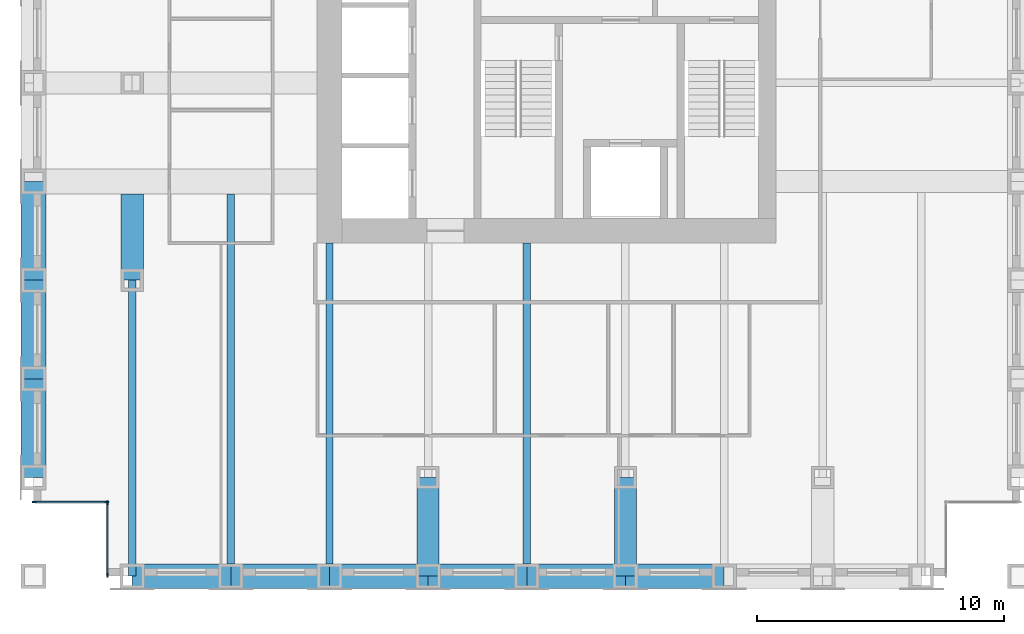
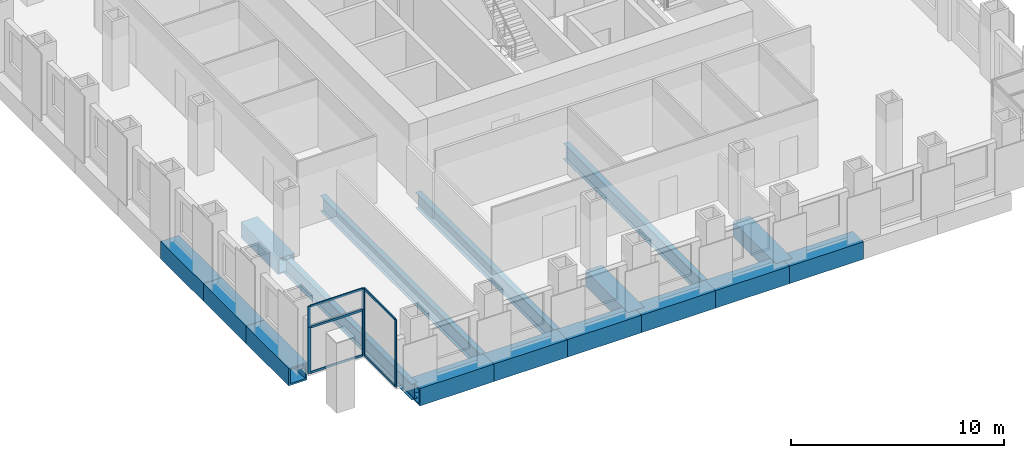
# One storey, part 2 of 12: 16 beams, 12 members, 3 elements without a shape of their own.
"""IFC4 building model written with IfcOpenShell, lengths in metres."""

from ifc_helpers import new_model, si_unit, direction, frame, origin, origin_2d, place, context, subcontext, project, spatial, rectangle, hollow_rectangle, i_section, extrude, material, material_profile, profile_set, type_object, element, aggregate, save


model = new_model("IFC4")

# Units and contexts
model_context = context("Model", 3, precision=1e-05, world=origin(), true_north=direction((0.0, 1.0)))
body_context = subcontext(model_context, "Body", "Model", "MODEL_VIEW")
ifc_project = project(units=[si_unit("LENGTHUNIT", "METRE"), si_unit("AREAUNIT", "SQUARE_METRE"), si_unit("VOLUMEUNIT", "CUBIC_METRE"), si_unit("PLANEANGLEUNIT", "RADIAN"), si_unit("MASSUNIT", "GRAM", prefix="KILO")], contexts=[model_context])

# Site, building, storey
site_placement = place(None, origin())
site = spatial("IfcSite", under=ifc_project, at=site_placement, CompositionType="ELEMENT")
building_placement = place(site_placement, origin())
building = spatial("IfcBuilding", under=site, at=building_placement, Name="Rimbunsela Tower", CompositionType="ELEMENT")
storey_placement = place(building_placement, frame((0.0, 0.0, 167.800048828125)))
storey = spatial("IfcBuildingStorey", under=building, at=storey_placement, Name="L40", CompositionType="ELEMENT", Elevation=167.800048828125)

# Beams
ifc_material_1 = material(Name="Steel BJ 55 (fy 410 MPa)", Category="steel")
ifc_material_profile_1 = material_profile(ifc_material_1, hollow_rectangle(XDim=1.0, YDim=1.0, WallThickness=0.10009765625, at=origin_2d()), Name="BOX 1000x1000x100")
ifc_profile_set_1 = profile_set([ifc_material_profile_1], Name="Steel BJ 55 (fy 410 MPa)")
beam_type_1 = type_object("IfcBeamType", Name="Beam BOX 1000x1000x100", PredefinedType="BEAM", material=ifc_profile_set_1)
for number, where, z_axis, x_axis, name in (
    (1, (6.0, 8.0, -0.650146484375), (0.0, 1.0, 0.0), (-1.0, 0.0, 0.0), "Beam B3 L40"),
    (2, (6.0, 12.0, -0.650146484375), (0.0, 1.0, 0.0), (-1.0, 0.0, 0.0), "Beam B3 L40"),
    (3, (6.0, 16.0, -0.650146484375), (0.0, 1.0, 0.0), (-1.0, 0.0, 0.0), "Beam B3 L40"),
    (4, (10.0, 4.0, -0.650146484375), (1.0, 0.0, 0.0), (0.0, 1.0, 0.0), "Beam B3 L40"),
    (5, (14.0, 4.0, -0.650146484375), (1.0, 0.0, 0.0), (0.0, 1.0, 0.0), "Beam B3 L40"),
    (6, (18.0, 4.0, -0.650146484375), (1.0, 0.0, 0.0), (0.0, 1.0, 0.0), "Beam B3 L40"),
    (7, (22.0, 4.0, -0.650146484375), (1.0, 0.0, 0.0), (0.0, 1.0, 0.0), "Beam B3 L40"),
    (8, (26.0, 4.0, -0.650146484375), (1.0, 0.0, 0.0), (0.0, 1.0, 0.0), "Beam B3 L40"),
    (9, (30.0, 4.0, -0.650146484375), (1.0, 0.0, 0.0), (0.0, 1.0, 0.0), "Beam B3 L40"),
):
    element("IfcBeam", number, at=place(storey_placement, frame(where, z_axis=z_axis, x_axis=x_axis)), inside=storey, type_object=beam_type_1, Name=name, PredefinedType="BEAM", context=body_context, shape_type="SweptSolid", body=[
        extrude(hollow_rectangle(XDim=1.0, YDim=1.0, WallThickness=0.10009765625, at=origin_2d()), origin(), (0.0, 0.0, 1.0), 4.0),
    ])
ifc_material_2 = material(Name="Steel BJ 55 (fy 410 MPa)", Category="steel")
ifc_material_profile_2 = material_profile(ifc_material_2, hollow_rectangle(XDim=0.89990234375, YDim=0.89990234375, WallThickness=0.06005859375, at=origin_2d()), Name="BOX 900x900x60")
ifc_profile_set_2 = profile_set([ifc_material_profile_2], Name="Steel BJ 55 (fy 410 MPa)")
beam_type_2 = type_object("IfcBeamType", Name="Beam BOX 900x900x60", PredefinedType="BEAM", material=ifc_profile_set_2)
beam_1_placement = place(storey_placement, frame((10.0, 16.0, -0.60009765625), z_axis=(0.0, 1.0, 0.0), x_axis=(-1.0, 0.0, 0.0)))
element("IfcBeam", 10, at=beam_1_placement, inside=storey, type_object=beam_type_2, Name="Beam B1 L40", PredefinedType="BEAM", context=body_context, shape_type="SweptSolid", body=[
    extrude(hollow_rectangle(XDim=0.89990234375, YDim=0.89990234375, WallThickness=0.06005859375, at=origin_2d()), origin(), (0.0, 0.0, 1.0), 3.5),
])
for number, where, z_axis, x_axis, name in (
    (11, (22.0, 4.0, -0.60009765625), (0.0, 1.0, 0.0), (-1.0, 0.0, 0.0), "Beam B1 L40"),
    (12, (30.0, 4.0, -0.60009765625), (0.0, 1.0, 0.0), (-1.0, 0.0, 0.0), "Beam B1 L40"),
):
    element("IfcBeam", number, at=place(storey_placement, frame(where, z_axis=z_axis, x_axis=x_axis)), inside=storey, type_object=beam_type_2, Name=name, PredefinedType="BEAM", context=body_context, shape_type="SweptSolid", body=[
        extrude(hollow_rectangle(XDim=0.89990234375, YDim=0.89990234375, WallThickness=0.06005859375, at=origin_2d()), origin(), (0.0, 0.0, 1.0), 4.0),
    ])
ifc_material_3 = material(Name="Steel BJ 55 (fy 410 MPa)", Category="steel")
ifc_material_profile_3 = material_profile(ifc_material_3, i_section(OverallWidth=0.300048828125, OverallDepth=0.89990234375, WebThickness=0.01611328125, FlangeThickness=0.028076171875, FilletRadius=0.028076171875, at=origin_2d()), Name="H 900x300x16x28")
ifc_profile_set_3 = profile_set([ifc_material_profile_3], Name="Steel BJ 55 (fy 410 MPa)")
beam_type_3 = type_object("IfcBeamType", Name="Beam H 900x300x16x28", PredefinedType="BEAM", material=ifc_profile_set_3)
beam_2_placement = place(storey_placement, frame((10.0, 4.0, -0.60009765625), z_axis=(0.0, 1.0, 0.0), x_axis=(-1.0, 0.0, 0.0)))
element("IfcBeam", 13, at=beam_2_placement, inside=storey, type_object=beam_type_3, Name="Beam B2 L40", PredefinedType="BEAM", context=body_context, shape_type="SweptSolid", body=[
    extrude(i_section(OverallWidth=0.300048828125, OverallDepth=0.89990234375, WebThickness=0.01611328125, FlangeThickness=0.028076171875, FilletRadius=0.028076171875, at=origin_2d()), origin(), (0.0, 0.0, 1.0), 12.0),
])
beam_3_placement = place(storey_placement, frame((14.0, 4.0, -0.60009765625), z_axis=(0.0, 1.0, 0.0), x_axis=(-1.0, 0.0, 0.0)))
element("IfcBeam", 14, at=beam_3_placement, inside=storey, type_object=beam_type_3, Name="Beam B2 L40", PredefinedType="BEAM", context=body_context, shape_type="SweptSolid", body=[
    extrude(i_section(OverallWidth=0.300048828125, OverallDepth=0.89990234375, WebThickness=0.01611328125, FlangeThickness=0.028076171875, FilletRadius=0.028076171875, at=origin_2d()), origin(), (0.0, 0.0, 1.0), 15.5),
])
for number, where, z_axis, x_axis, name in (
    (15, (18.0, 4.0, -0.60009765625), (0.0, 1.0, 0.0), (-1.0, 0.0, 0.0), "Beam B2 L40"),
    (16, (26.0, 4.0, -0.60009765625), (0.0, 1.0, 0.0), (-1.0, 0.0, 0.0), "Beam B2 L40"),
):
    element("IfcBeam", number, at=place(storey_placement, frame(where, z_axis=z_axis, x_axis=x_axis)), inside=storey, type_object=beam_type_3, Name=name, PredefinedType="BEAM", context=body_context, shape_type="SweptSolid", body=[
        extrude(i_section(OverallWidth=0.300048828125, OverallDepth=0.89990234375, WebThickness=0.01611328125, FlangeThickness=0.028076171875, FilletRadius=0.028076171875, at=origin_2d()), origin(), (0.0, 0.0, 1.0), 13.5),
    ])

# Curtain wall, members
ifc_material_4 = material(Name="Aluminium curtain wall", Category="aluminium")
curtain_wall_type_1 = type_object("IfcCurtainWallType", Name="Corner glazing", PredefinedType="USERDEFINED", material=ifc_material_4)
curtain_wall_1_placement = place(storey_placement, origin())
curtain_wall_1 = element("IfcCurtainWall", 17, at=curtain_wall_1_placement, inside=storey, type_object=curtain_wall_type_1, Name="Corner glazing L40", ObjectType="CORNER GLAZING", PredefinedType="USERDEFINED")
ifc_material_5 = material(Name="Aluminium mullion", Category="aluminium")
ifc_material_profile_4 = material_profile(ifc_material_5, rectangle(XDim=0.06005859375, YDim=0.159912109375, at=origin_2d()), Name="Mullion 60x160")
ifc_profile_set_4 = profile_set([ifc_material_profile_4], Name="Aluminium mullion")
member_type_1 = type_object("IfcMemberType", Name="Curtain wall mullion 60x160", PredefinedType="MULLION", material=ifc_profile_set_4)
member_1_placement = place(storey_placement, frame((6.030029296875, 7.0, 0.0), z_axis=(0.0, 0.0, 1.0), x_axis=(0.0, 1.0, 0.0)))
member_1 = element("IfcMember", 18, at=member_1_placement, type_object=member_type_1, Name="CW5 mullion 1", PredefinedType="MULLION", context=body_context, shape_type="SweptSolid", body=[
    extrude(rectangle(XDim=0.06005859375, YDim=0.159912109375, at=origin_2d()), origin(), (0.0, 0.0, 1.0), 2.64990234375),
])
member_2_placement = place(storey_placement, frame((8.969970703125, 7.0, 0.0), z_axis=(0.0, 0.0, 1.0), x_axis=(0.0, 1.0, 0.0)))
member_2 = element("IfcMember", 19, at=member_2_placement, type_object=member_type_1, Name="CW5 mullion 2", PredefinedType="MULLION", context=body_context, shape_type="SweptSolid", body=[
    extrude(rectangle(XDim=0.06005859375, YDim=0.159912109375, at=origin_2d()), origin(), (0.0, 0.0, 1.0), 2.64990234375),
])

ifc_material_6 = material(Name="Aluminium curtain wall", Category="aluminium")
curtain_wall_type_2 = type_object("IfcCurtainWallType", Name="Spandrel wall", PredefinedType="USERDEFINED", material=ifc_material_6)
curtain_wall_2_placement = place(storey_placement, origin())
curtain_wall_2 = element("IfcCurtainWall", 20, at=curtain_wall_2_placement, inside=storey, type_object=curtain_wall_type_2, Name="Spandrel wall L40", ObjectType="SPANDREL WALL", PredefinedType="USERDEFINED")
member_3_placement = place(storey_placement, frame((6.030029296875, 7.0, 2.64990234375), z_axis=(0.0, 0.0, 1.0), x_axis=(0.0, 1.0, 0.0)))
member_3 = element("IfcMember", 21, at=member_3_placement, type_object=member_type_1, Name="CW7 mullion 1", PredefinedType="MULLION", context=body_context, shape_type="SweptSolid", body=[
    extrude(rectangle(XDim=0.06005859375, YDim=0.159912109375, at=origin_2d()), origin(), (0.0, 0.0, 1.0), 1.199951171875),
])
member_4_placement = place(storey_placement, frame((8.969970703125, 7.0, 2.64990234375), z_axis=(0.0, 0.0, 1.0), x_axis=(0.0, 1.0, 0.0)))
member_4 = element("IfcMember", 22, at=member_4_placement, type_object=member_type_1, Name="CW7 mullion 2", PredefinedType="MULLION", context=body_context, shape_type="SweptSolid", body=[
    extrude(rectangle(XDim=0.06005859375, YDim=0.159912109375, at=origin_2d()), origin(), (0.0, 0.0, 1.0), 1.199951171875),
])

curtain_wall_3_placement = place(storey_placement, origin())
curtain_wall_3 = element("IfcCurtainWall", 23, at=curtain_wall_3_placement, inside=storey, type_object=curtain_wall_type_1, Name="Corner glazing L40", ObjectType="CORNER GLAZING", PredefinedType="USERDEFINED")
member_5_placement = place(storey_placement, frame((9.0, 6.969970703125, 0.0), z_axis=(0.0, 0.0, 1.0), x_axis=(1.0, 0.0, 0.0)))
member_5 = element("IfcMember", 24, at=member_5_placement, type_object=member_type_1, Name="CW5 mullion 1", PredefinedType="MULLION", context=body_context, shape_type="SweptSolid", body=[
    extrude(rectangle(XDim=0.06005859375, YDim=0.159912109375, at=origin_2d()), origin(), (0.0, 0.0, 1.0), 3.849853515625),
])
member_6_placement = place(storey_placement, frame((9.0, 4.030029296875, 0.0), z_axis=(0.0, 0.0, 1.0), x_axis=(1.0, 0.0, 0.0)))
member_6 = element("IfcMember", 25, at=member_6_placement, type_object=member_type_1, Name="CW5 mullion 2", PredefinedType="MULLION", context=body_context, shape_type="SweptSolid", body=[
    extrude(rectangle(XDim=0.06005859375, YDim=0.159912109375, at=origin_2d()), origin(), (0.0, 0.0, 1.0), 3.849853515625),
])

# Member
ifc_material_7 = material(Name="Aluminium transom", Category="aluminium")
ifc_material_profile_5 = material_profile(ifc_material_7, rectangle(XDim=0.06005859375, YDim=0.1201171875, at=origin_2d()), Name="Transom 60x120")
ifc_profile_set_5 = profile_set([ifc_material_profile_5], Name="Aluminium transom")
member_type_2 = type_object("IfcMemberType", Name="Curtain wall transom 60x120", PredefinedType="USERDEFINED", material=ifc_profile_set_5)
member_7_placement = place(storey_placement, frame((6.06005859375, 7.0, 0.030029296875), z_axis=(1.0, 0.0, 0.0), x_axis=(0.0, 1.0, 0.0)))
member_7 = element("IfcMember", 26, at=member_7_placement, type_object=member_type_2, Name="CW5 transom 1.1", ObjectType="TRANSOM", PredefinedType="USERDEFINED", context=body_context, shape_type="SweptSolid", body=[
    extrude(rectangle(XDim=0.06005859375, YDim=0.1201171875, at=origin_2d()), origin(), (0.0, 0.0, 1.0), 2.8798828125),
])

member_8_placement = place(storey_placement, frame((6.06005859375, 7.0, 2.619873046875), z_axis=(1.0, 0.0, 0.0), x_axis=(0.0, 1.0, 0.0)))
member_8 = element("IfcMember", 27, at=member_8_placement, type_object=member_type_2, Name="CW5 transom 1.2", ObjectType="TRANSOM", PredefinedType="USERDEFINED", context=body_context, shape_type="SweptSolid", body=[
    extrude(rectangle(XDim=0.06005859375, YDim=0.1201171875, at=origin_2d()), origin(), (0.0, 0.0, 1.0), 2.8798828125),
])

aggregate(curtain_wall_1, [member_1, member_2, member_7, member_8])

member_9_placement = place(storey_placement, frame((6.06005859375, 7.0, 2.679931640625), z_axis=(1.0, 0.0, 0.0), x_axis=(0.0, 1.0, 0.0)))
member_9 = element("IfcMember", 28, at=member_9_placement, type_object=member_type_2, Name="CW7 transom 1.1", ObjectType="TRANSOM", PredefinedType="USERDEFINED", context=body_context, shape_type="SweptSolid", body=[
    extrude(rectangle(XDim=0.06005859375, YDim=0.1201171875, at=origin_2d()), origin(), (0.0, 0.0, 1.0), 2.8798828125),
])

member_10_placement = place(storey_placement, frame((6.06005859375, 7.0, 3.820068359375), z_axis=(1.0, 0.0, 0.0), x_axis=(0.0, 1.0, 0.0)))
member_10 = element("IfcMember", 29, at=member_10_placement, type_object=member_type_2, Name="CW7 transom 1.2", ObjectType="TRANSOM", PredefinedType="USERDEFINED", context=body_context, shape_type="SweptSolid", body=[
    extrude(rectangle(XDim=0.06005859375, YDim=0.1201171875, at=origin_2d()), origin(), (0.0, 0.0, 1.0), 2.8798828125),
])

aggregate(curtain_wall_2, [member_3, member_4, member_9, member_10])

member_11_placement = place(storey_placement, frame((9.0, 6.93994140625, 0.030029296875), z_axis=(0.0, -1.0, 0.0), x_axis=(1.0, 0.0, 0.0)))
member_11 = element("IfcMember", 30, at=member_11_placement, type_object=member_type_2, Name="CW5 transom 1.1", ObjectType="TRANSOM", PredefinedType="USERDEFINED", context=body_context, shape_type="SweptSolid", body=[
    extrude(rectangle(XDim=0.06005859375, YDim=0.1201171875, at=origin_2d()), origin(), (0.0, 0.0, 1.0), 2.8798828125),
])

member_12_placement = place(storey_placement, frame((9.0, 6.93994140625, 3.820068359375), z_axis=(0.0, -1.0, 0.0), x_axis=(1.0, 0.0, 0.0)))
member_12 = element("IfcMember", 31, at=member_12_placement, type_object=member_type_2, Name="CW5 transom 1.2", ObjectType="TRANSOM", PredefinedType="USERDEFINED", context=body_context, shape_type="SweptSolid", body=[
    extrude(rectangle(XDim=0.06005859375, YDim=0.1201171875, at=origin_2d()), origin(), (0.0, 0.0, 1.0), 2.8798828125),
])

aggregate(curtain_wall_3, [member_5, member_6, member_11, member_12])

save(model, "model.ifc")
